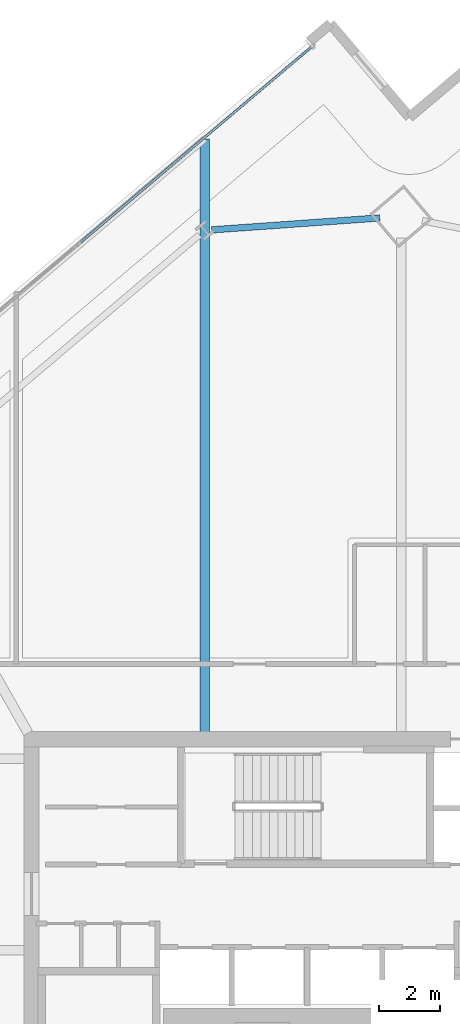
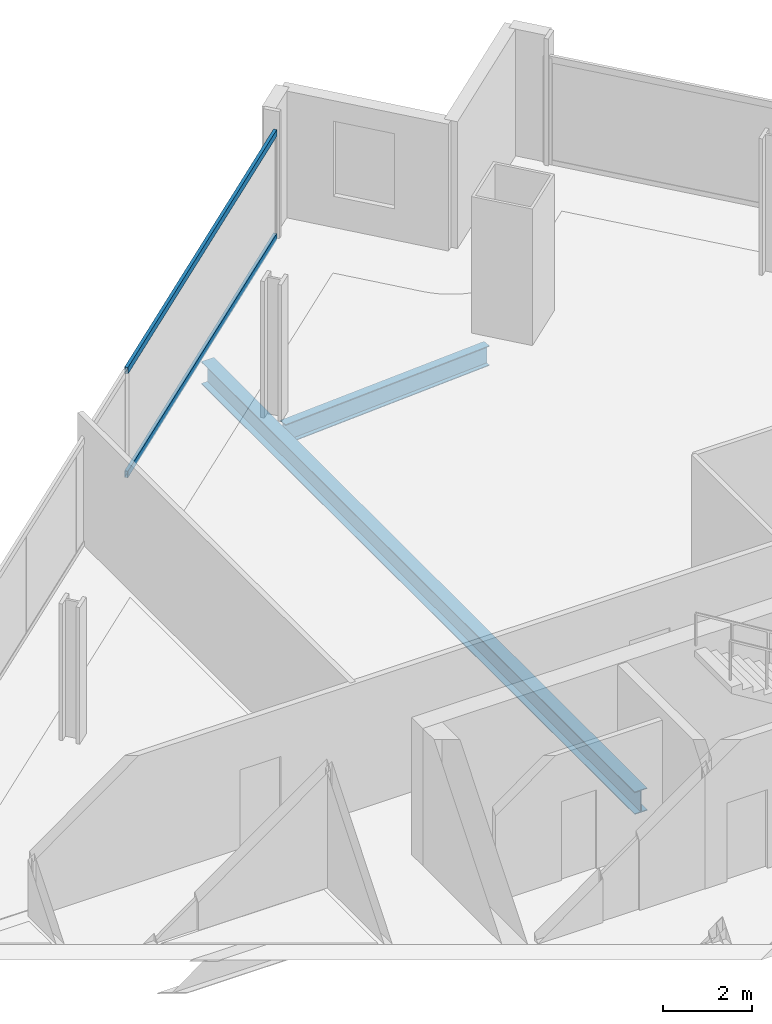
# One storey, part 19 of 34: 2 beams, 2 members, 1 element without a shape of its own.
"""IFC4 building model written with IfcOpenShell, lengths in metres."""

from ifc_helpers import new_model, si_unit, direction, frame, origin, origin_2d, place, context, subcontext, project, spatial, hollow_rectangle, i_section, extrude, material, material_profile, profile_set, type_object, element, aggregate, save


model = new_model("IFC4")

# Units and contexts
model_context = context("Model", 3, precision=1e-05, world=origin(), true_north=direction((0.0, 1.0)))
body_context = subcontext(model_context, "Body", "Model", "MODEL_VIEW")
ifc_project = project(units=[si_unit("LENGTHUNIT", "METRE"), si_unit("AREAUNIT", "SQUARE_METRE"), si_unit("VOLUMEUNIT", "CUBIC_METRE"), si_unit("PLANEANGLEUNIT", "RADIAN"), si_unit("MASSUNIT", "GRAM", prefix="KILO")], contexts=[model_context])

# Site, building, storey
site_placement = place(None, origin())
site = spatial("IfcSite", under=ifc_project, at=site_placement, CompositionType="ELEMENT")
building_placement = place(site_placement, origin())
building = spatial("IfcBuilding", under=site, at=building_placement, Name="Haldenkirk Collegiate Tower", CompositionType="ELEMENT")
storey_placement = place(building_placement, frame((0.0, 0.0, 163.199951171875)))
storey = spatial("IfcBuildingStorey", under=building, at=storey_placement, Name="L40", CompositionType="ELEMENT", Elevation=163.199951171875)

# Beams
ifc_material_1 = material(Name="Steel ASTM A992 Grade 50", Category="steel")
ifc_material_profile_1 = material_profile(ifc_material_1, i_section(OverallWidth=0.324951171875, OverallDepth=0.615966796875, WebThickness=0.013916015625, FlangeThickness=0.021484375, at=origin_2d()), Name="W24X117")
ifc_profile_set_1 = profile_set([ifc_material_profile_1], Name="Steel ASTM A992 Grade 50")
beam_type_1 = type_object("IfcBeamType", Name="BM-GIRDER-W24X117", PredefinedType="BEAM", material=ifc_profile_set_1)
beam_1_placement = place(storey_placement, frame((32.657470703125, 53.606689453125, -0.597900390625), z_axis=(0.0, -1.0, 0.0), x_axis=(1.0, 0.0, 0.0)))
element("IfcBeam", 1, at=beam_1_placement, inside=storey, type_object=beam_type_1, Name="L40 primary floor girder 11", PredefinedType="BEAM", context=body_context, shape_type="SweptSolid", body=[
    extrude(i_section(OverallWidth=0.324951171875, OverallDepth=0.615966796875, WebThickness=0.013916015625, FlangeThickness=0.021484375, at=origin_2d()), origin(), (0.0, 0.0, 1.0), 19.376708984375),
])
ifc_material_profile_2 = material_profile(ifc_material_1, i_section(OverallWidth=0.2119140625, OverallDepth=0.5439453125, WebThickness=0.01318359375, FlangeThickness=0.021240234375, at=origin_2d()), Name="W21X83")
ifc_profile_set_2 = profile_set([ifc_material_profile_2], Name="Steel ASTM A992 Grade 50")
beam_type_2 = type_object("IfcBeamType", Name="BM-SPANDREL-W21X83", PredefinedType="SPANDREL", material=ifc_profile_set_2)
beam_2_placement = place(storey_placement, frame((38.373779296875, 51.025146484375, -0.56201171875), z_axis=(-0.997489017738, -0.070821320891, 0.0), x_axis=(0.070821320891, -0.997489017738, 0.0)))
element("IfcBeam", 2, at=beam_2_placement, inside=storey, type_object=beam_type_2, Name="L40 perimeter spandrel beam 09", PredefinedType="SPANDREL", context=body_context, shape_type="SweptSolid", body=[
    extrude(i_section(OverallWidth=0.2119140625, OverallDepth=0.5439453125, WebThickness=0.01318359375, FlangeThickness=0.021240234375, at=origin_2d()), origin(), (0.0, 0.0, 1.0), 5.501953125),
])

# Curtain wall, members
ifc_material_2 = material(Name="Anodised architectural bronze aluminium", Category="aluminium")
curtain_wall_type = type_object("IfcCurtainWallType", Name="CW-SYS1-CONVEX-LOW", PredefinedType="USERDEFINED", material=ifc_material_2)
curtain_wall_placement = place(storey_placement, origin())
curtain_wall = element("IfcCurtainWall", 3, at=curtain_wall_placement, inside=storey, type_object=curtain_wall_type, Name="L40 Lower tower convex bronze-framed unitised curtain wall", ObjectType="UNITISED CURTAIN WALL", PredefinedType="USERDEFINED")
ifc_material_profile_3 = material_profile(ifc_material_2, hollow_rectangle(XDim=0.080078125, YDim=0.179931640625, WallThickness=0.0048828125, at=origin_2d()), Name="CW-TRN-1A")
ifc_profile_set_3 = profile_set([ifc_material_profile_3], Name="Anodised architectural bronze aluminium")
member_type = type_object("IfcMemberType", Name="CW-TRN-1A", PredefinedType="USERDEFINED", material=ifc_profile_set_3)
member_1_placement = place(storey_placement, frame((28.6083984375, 50.2314453125, 0.0400390625), z_axis=(0.763241555789, 0.646113246666, 0.0), x_axis=(-0.646113246666, 0.763241555789, 0.0)))
member_1 = element("IfcMember", 4, at=member_1_placement, type_object=member_type, Name="CW-1A transom 4.1", ObjectType="TRANSOM", PredefinedType="USERDEFINED", context=body_context, shape_type="SweptSolid", body=[
    extrude(hollow_rectangle(XDim=0.080078125, YDim=0.179931640625, WallThickness=0.0048828125, at=origin_2d()), origin(), (0.0, 0.0, 1.0), 9.85498046875),
])
member_2_placement = place(storey_placement, frame((28.6083984375, 50.2314453125, 2.87109375), z_axis=(0.763241555789, 0.646113246666, 0.0), x_axis=(-0.646113246666, 0.763241555789, 0.0)))
member_2 = element("IfcMember", 5, at=member_2_placement, type_object=member_type, Name="CW-1A transom 4.2", ObjectType="TRANSOM", PredefinedType="USERDEFINED", context=body_context, shape_type="SweptSolid", body=[
    extrude(hollow_rectangle(XDim=0.080078125, YDim=0.179931640625, WallThickness=0.0048828125, at=origin_2d()), origin(), (0.0, 0.0, 1.0), 9.85498046875),
])
aggregate(curtain_wall, [member_1, member_2])

save(model, "model.ifc")
